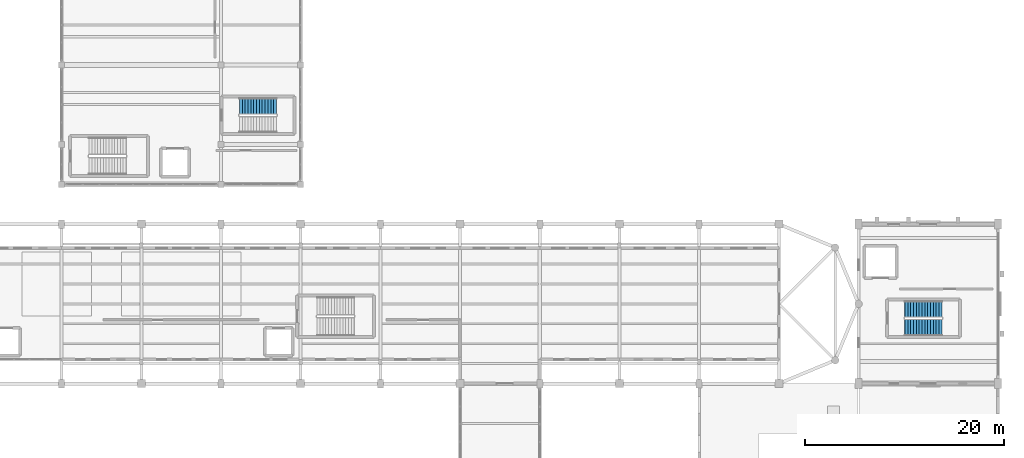
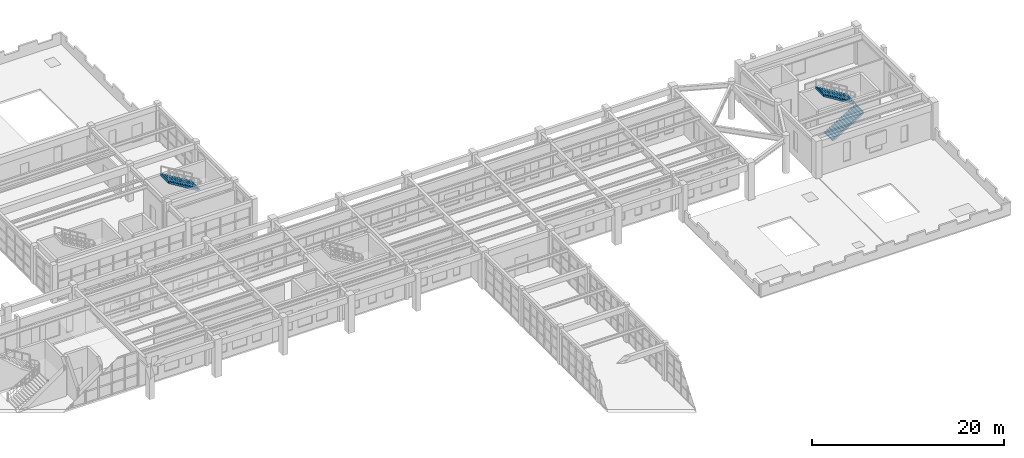
# One storey, part 49 of 59: 3 stair flights, 2 elements without a shape of their own.
"""IFC4 building model written with IfcOpenShell, lengths in metres."""

import ifcopenshell
import ifcopenshell.guid

model = None  # the IFC model being written
_history = None  # IfcOwnerHistory: only IFC2X3 demands one
_inside = {}  # id of a spatial element -> (the spatial element, [elements in it])
_under = {}  # id of a project, library or spatial element -> (it, [spatial elements below it])
_declared = {}  # id of a project -> (the project, [libraries it declares])
_typed = {}  # id of a type object -> (the type object, [elements of that type])
_made_of = {}  # id of a material, layer set ... -> (it, [elements and type objects made of it])


def new_model(schema):
    """Start an empty IFC model of exactly this schema.

    Asked for "IFC4X3", IfcOpenShell would pick the latest addendum, in which some entities
    have other attributes; the version numbers below select the first issue.
    IFC2X3 requires an IfcOwnerHistory on every rooted entity: one is made here for all.
    """
    global model, _history
    if schema == "IFC4X3":
        model = ifcopenshell.file(schema_version=(4, 3, 0, 0))
    else:
        model = ifcopenshell.file(schema=schema)
    _inside.clear()
    _under.clear()
    _declared.clear()
    _typed.clear()
    _made_of.clear()
    _history = None
    if model.schema == "IFC2X3":
        org = make("IfcOrganization", Name="unknown")
        user = make(
            "IfcPersonAndOrganization",
            ThePerson=make("IfcPerson", FamilyName="unknown"),
            TheOrganization=org,
        )
        app = make(
            "IfcApplication",
            ApplicationDeveloper=org,
            Version="unknown",
            ApplicationFullName="unknown",
            ApplicationIdentifier="unknown",
        )
        _history = make(
            "IfcOwnerHistory",
            OwningUser=user,
            OwningApplication=app,
            ChangeAction="ADDED",
            CreationDate=0,
        )
    return model


def make(cls, **values):
    """One entity of the class cls with the attributes given. An attribute that is None is left unset."""
    return model.create_entity(
        cls, **{name: value for name, value in values.items() if value is not None}
    )


def rooted(cls, **values):
    """An entity with a GlobalId (a new one), such as an element, a storey or a relation."""
    return make(cls, GlobalId=ifcopenshell.guid.new(), OwnerHistory=_history, **values)


def si_unit(unit_type, name, prefix=None):
    """IfcSIUnit, for example si_unit("LENGTHUNIT", "METRE", prefix="MILLI")."""
    return make("IfcSIUnit", UnitType=unit_type, Prefix=prefix, Name=name)


def assignment(units):
    """IfcUnitAssignment: the units of a project."""
    return None if units is None else make("IfcUnitAssignment", Units=units)


def point(xyz):
    """IfcCartesianPoint."""
    return None if xyz is None else make("IfcCartesianPoint", Coordinates=xyz)


def direction(xyz):
    """IfcDirection."""
    return None if xyz is None else make("IfcDirection", DirectionRatios=xyz)


def frame(location, z_axis=None, x_axis=None):
    """IfcAxis2Placement3D, a coordinate frame: its origin and axes. An axis left out is left unset."""
    return make(
        "IfcAxis2Placement3D",
        Location=point(location),
        Axis=direction(z_axis),
        RefDirection=direction(x_axis),
    )


def origin():
    """The frame at (0, 0, 0) with its axes left unset."""
    return frame((0.0, 0.0, 0.0))


def place(relative_to, where):
    """IfcLocalPlacement: puts the frame where relative to a parent placement (None: the world)."""
    return make(
        "IfcLocalPlacement", PlacementRelTo=relative_to, RelativePlacement=where
    )


def context(
    kind, dimensions, precision=None, world=None, true_north=None, identifier=None
):
    """IfcGeometricRepresentationContext, for example the 3D "Model" context."""
    return make(
        "IfcGeometricRepresentationContext",
        ContextIdentifier=identifier,
        ContextType=kind,
        CoordinateSpaceDimension=dimensions,
        Precision=precision,
        WorldCoordinateSystem=world,
        TrueNorth=true_north,
    )


def subcontext(parent, identifier, kind, view, scale=None):
    """IfcGeometricRepresentationSubContext, for example "Body" below "Model"."""
    return make(
        "IfcGeometricRepresentationSubContext",
        ContextIdentifier=identifier,
        ContextType=kind,
        ParentContext=parent,
        TargetScale=scale,
        TargetView=view,
    )


def project(units=None, contexts=None):
    """IfcProject with its units and contexts."""
    return rooted(
        "IfcProject",
        Name="project",
        RepresentationContexts=contexts,
        UnitsInContext=assignment(units),
    )


def spatial(cls, under=None, at=None, **own):
    """A site, building, storey or space (cls), placed at a placement, below another one or the project."""
    s = rooted(cls, ObjectPlacement=at, **own)
    if under is not None:
        _under.setdefault(under.id(), (under, []))[1].append(s)
    return s


def polyline(points):
    """IfcPolyline through the points."""
    return make("IfcPolyline", Points=[point(p) for p in points])


def outline(outer, holes=None, kind="AREA"):
    """IfcArbitraryClosedProfileDef: a profile drawn as a closed curve; with holes, ...WithVoids."""
    if holes is None:
        return make("IfcArbitraryClosedProfileDef", ProfileType=kind, OuterCurve=outer)
    return make(
        "IfcArbitraryProfileDefWithVoids",
        ProfileType=kind,
        OuterCurve=outer,
        InnerCurves=holes,
    )


def extrude(swept, where, along, depth):
    """IfcExtrudedAreaSolid: the profile swept, set in the frame where, extruded along a direction by depth."""
    return make(
        "IfcExtrudedAreaSolid",
        SweptArea=swept,
        Position=where,
        ExtrudedDirection=direction(along),
        Depth=depth,
    )


def shape(context_of_items, identifier, shape_type, items):
    """IfcShapeRepresentation: the items that make up one representation, for example the "Body"."""
    return make(
        "IfcShapeRepresentation",
        ContextOfItems=context_of_items,
        RepresentationIdentifier=identifier,
        RepresentationType=shape_type,
        Items=items,
    )


def material(Name=None, Category=None):
    """IfcMaterial."""
    return make("IfcMaterial", Name=Name, Category=Category)


def made_of(thing, what):
    """Note that an element or type object is made of a material, layer set ...; save() writes the relation."""
    if what is not None:
        _made_of.setdefault(what.id(), (what, []))[1].append(thing)
    return thing


def type_object(cls, material=None, **own):
    """A type object (cls), such as IfcWallType, which elements share."""
    return made_of(rooted(cls, **own), material)


def element(
    cls,
    number,
    at=None,
    inside=None,
    cuts=None,
    type_object=None,
    material=None,
    context=None,
    identifier="Body",
    shape_type=None,
    held_by="IfcProductDefinitionShape",
    body=None,
    shapes=None,
    **own,
):
    """One element of the class cls, such as IfcWall. Its Tag is "e" and its number.

    at: its placement. inside: the storey or other place that contains it. cuts: it is an
    opening in that element (IfcRelVoidsElement). A single representation is given by context,
    identifier, shape_type and body (its items); several are given by shapes. held_by: the class
    of the entity that holds the representations. save() writes the other relations.
    """
    e = rooted(cls, Tag="e%d" % number, ObjectPlacement=at, **own)
    if body is not None:
        shapes = [shape(context, identifier, shape_type, body)]
    if shapes is not None:
        e.Representation = make(held_by, Representations=shapes)
    if inside is not None:
        _inside.setdefault(inside.id(), (inside, []))[1].append(e)
    if cuts is not None:
        rooted(
            "IfcRelVoidsElement", RelatingBuildingElement=cuts, RelatedOpeningElement=e
        )
    if type_object is not None:
        _typed.setdefault(type_object.id(), (type_object, []))[1].append(e)
    return made_of(e, material)


def aggregate(whole, parts):
    """IfcRelAggregates: a whole, such as a stair, and the parts it consists of."""
    return rooted("IfcRelAggregates", RelatingObject=whole, RelatedObjects=parts)


def save(model, path):
    """Write the relations noted so far, then the file.

    IfcRelAggregates (storeys below a building ...), IfcRelContainedInSpatialStructure (elements
    in a storey), IfcRelDefinesByType, IfcRelAssociatesMaterial and IfcRelDeclares: one each for
    every whole, place, type object, material and project.
    """
    for whole, parts in _under.values():
        aggregate(whole, parts)
    for where, things in _inside.values():
        rooted(
            "IfcRelContainedInSpatialStructure",
            RelatedElements=things,
            RelatingStructure=where,
        )
    for kind, things in _typed.values():
        rooted("IfcRelDefinesByType", RelatedObjects=things, RelatingType=kind)
    for what, things in _made_of.values():
        rooted("IfcRelAssociatesMaterial", RelatedObjects=things, RelatingMaterial=what)
    for by, libraries in _declared.values():
        rooted("IfcRelDeclares", RelatingContext=by, RelatedDefinitions=libraries)
    model.write(path)


model = new_model("IFC4")

# Units and contexts
model_context = context("Model", 3, precision=1e-05, world=origin(), true_north=direction((0.0, 1.0)))
body_context = subcontext(model_context, "Body", "Model", "MODEL_VIEW")
ifc_project = project(units=[si_unit("LENGTHUNIT", "METRE"), si_unit("AREAUNIT", "SQUARE_METRE"), si_unit("VOLUMEUNIT", "CUBIC_METRE"), si_unit("PLANEANGLEUNIT", "RADIAN"), si_unit("MASSUNIT", "GRAM", prefix="KILO")], contexts=[model_context])

# Site, building, storey
site_placement = place(None, origin())
site = spatial("IfcSite", under=ifc_project, at=site_placement, CompositionType="ELEMENT")
building_placement = place(site_placement, origin())
building = spatial("IfcBuilding", under=site, at=building_placement, Name="Serraluz Foothill Cableway Terminal", CompositionType="ELEMENT")
storey_placement = place(building_placement, frame((0.0, 0.0, 4.800048828125)))
storey = spatial("IfcBuildingStorey", under=building, at=storey_placement, Name="L01", CompositionType="ELEMENT", Elevation=4.800048828125)

# Stair, stair flights
ifc_material = material(Name="Concrete C35/45 (f'c 35 MPa)", Category="concrete")
stair_type = type_object("IfcStairType", Name="TYP-ST-DOG-166-48", PredefinedType="HALF_TURN_STAIR", material=ifc_material)
stair_1_placement = place(storey_placement, origin())
stair_1 = element("IfcStair", 1, at=stair_1_placement, inside=storey, type_object=stair_type, Name="L01 ST-05", PredefinedType="HALF_TURN_STAIR")
stair_flight_type = type_object("IfcStairFlightType", Name="TYP-FL-DOG-166-48", PredefinedType="STRAIGHT", material=ifc_material)
stair_flight_1_placement = place(storey_placement, frame((164.659912109375, 61.6298828125, 0.0), z_axis=(0.0, 0.0, 1.0), x_axis=(1.0, 0.0, 0.0)))
stair_flight_1 = element("IfcStairFlight", 2, at=stair_flight_1_placement, type_object=stair_flight_type, Name="ST-05 flight 1", NumberOfRisers=14, NumberOfTreads=13, PredefinedType="STRAIGHT", RiserHeight=0.171428571, TreadLength=0.285, context=body_context, shape_type="SweptSolid", body=[
    extrude(outline(polyline([(-0.02490234375, -0.06005859375), (-0.02490234375, 0.0), (0.0, 0.0), (0.0, 0.17138671875), (0.284912109375, 0.17138671875), (0.284912109375, 0.3427734375), (0.570068359375, 0.3427734375), (0.570068359375, 0.514404296875), (0.85498046875, 0.514404296875), (0.85498046875, 0.685791015625), (1.139892578125, 0.685791015625), (1.139892578125, 0.857177734375), (1.425048828125, 0.857177734375), (1.425048828125, 1.028564453125), (1.7099609375, 1.028564453125), (1.7099609375, 1.199951171875), (1.9951171875, 1.199951171875), (1.9951171875, 1.371337890625), (2.280029296875, 1.371337890625), (2.280029296875, 1.54296875), (2.56494140625, 1.54296875), (2.56494140625, 1.71435546875), (2.85009765625, 1.71435546875), (2.85009765625, 1.8857421875), (3.135009765625, 1.8857421875), (3.135009765625, 2.05712890625), (3.419921875, 2.05712890625), (3.419921875, 2.228515625), (3.705078125, 2.228515625), (3.705078125, 2.39990234375), (3.72998046875, 2.39990234375), (3.72998046875, 2.0537109375), (0.290771484375, -0.06005859375), (-0.02490234375, -0.06005859375)])), frame((0.0, 0.830078125, 0.0), z_axis=(0.0, -1.0, 0.0), x_axis=(1.0, 0.0, 0.0)), (0.0, 0.0, 1.0), 1.659912109375),
])
stair_flight_2_placement = place(storey_placement, frame((168.364990234375, 63.449951171875, 2.39990234375), z_axis=(0.0, 0.0, 1.0), x_axis=(-1.0, 0.0, 0.0)))
stair_flight_2 = element("IfcStairFlight", 3, at=stair_flight_2_placement, type_object=stair_flight_type, Name="ST-05 flight 2", NumberOfRisers=14, NumberOfTreads=13, PredefinedType="STRAIGHT", RiserHeight=0.171428571, TreadLength=0.285, context=body_context, shape_type="SweptSolid", body=[
    extrude(outline(polyline([(-0.02490234375, -0.06005859375), (-0.02490234375, 0.0), (0.0, 0.0), (0.0, 0.17138671875), (0.284912109375, 0.17138671875), (0.284912109375, 0.3427734375), (0.570068359375, 0.3427734375), (0.570068359375, 0.514404296875), (0.85498046875, 0.514404296875), (0.85498046875, 0.685791015625), (1.139892578125, 0.685791015625), (1.139892578125, 0.857177734375), (1.425048828125, 0.857177734375), (1.425048828125, 1.028564453125), (1.7099609375, 1.028564453125), (1.7099609375, 1.199951171875), (1.9951171875, 1.199951171875), (1.9951171875, 1.371337890625), (2.280029296875, 1.371337890625), (2.280029296875, 1.54296875), (2.56494140625, 1.54296875), (2.56494140625, 1.71435546875), (2.85009765625, 1.71435546875), (2.85009765625, 1.8857421875), (3.135009765625, 1.8857421875), (3.135009765625, 2.05712890625), (3.419921875, 2.05712890625), (3.419921875, 2.228515625), (3.705078125, 2.228515625), (3.705078125, 2.39990234375), (3.72998046875, 2.39990234375), (3.72998046875, 2.0537109375), (0.290771484375, -0.06005859375), (-0.02490234375, -0.06005859375)])), frame((0.0, 0.830078125, 0.0), z_axis=(0.0, -1.0, 0.0), x_axis=(1.0, 0.0, 0.0)), (0.0, 0.0, 1.0), 1.659912109375),
])
aggregate(stair_1, [stair_flight_1, stair_flight_2])

# Stair, stair flight
stair_2_placement = place(storey_placement, origin())
stair_2 = element("IfcStair", 4, at=stair_2_placement, inside=storey, type_object=stair_type, Name="L01 ST-09", PredefinedType="HALF_TURN_STAIR")
stair_flight_3_placement = place(storey_placement, frame((101.56494140625, 83.85009765625, 2.39990234375), z_axis=(0.0, 0.0, 1.0), x_axis=(-1.0, 0.0, 0.0)))
stair_flight_3 = element("IfcStairFlight", 5, at=stair_flight_3_placement, type_object=stair_flight_type, Name="ST-09 flight 2", NumberOfRisers=14, NumberOfTreads=13, PredefinedType="STRAIGHT", RiserHeight=0.171428571, TreadLength=0.285, context=body_context, shape_type="SweptSolid", body=[
    extrude(outline(polyline([(-0.02490234375, -0.06005859375), (-0.02490234375, 0.0), (0.0, 0.0), (0.0, 0.17138671875), (0.284912109375, 0.17138671875), (0.284912109375, 0.3427734375), (0.570068359375, 0.3427734375), (0.570068359375, 0.514404296875), (0.85498046875, 0.514404296875), (0.85498046875, 0.685791015625), (1.139892578125, 0.685791015625), (1.139892578125, 0.857177734375), (1.425048828125, 0.857177734375), (1.425048828125, 1.028564453125), (1.7099609375, 1.028564453125), (1.7099609375, 1.199951171875), (1.9951171875, 1.199951171875), (1.9951171875, 1.371337890625), (2.280029296875, 1.371337890625), (2.280029296875, 1.54296875), (2.56494140625, 1.54296875), (2.56494140625, 1.71435546875), (2.85009765625, 1.71435546875), (2.85009765625, 1.8857421875), (3.135009765625, 1.8857421875), (3.135009765625, 2.05712890625), (3.419921875, 2.05712890625), (3.419921875, 2.228515625), (3.705078125, 2.228515625), (3.705078125, 2.39990234375), (3.72998046875, 2.39990234375), (3.72998046875, 2.0537109375), (0.290771484375, -0.06005859375), (-0.02490234375, -0.06005859375)])), frame((0.0, 0.830078125, 0.0), z_axis=(0.0, -1.0, 0.0), x_axis=(1.0, 0.0, 0.0)), (0.0, 0.0, 1.0), 1.659912109375),
])
aggregate(stair_2, [stair_flight_3])

save(model, "model.ifc")
